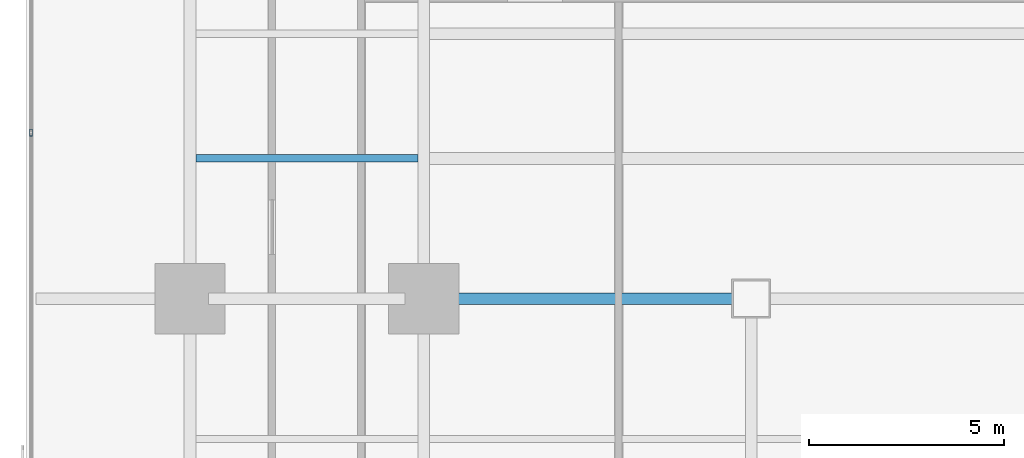
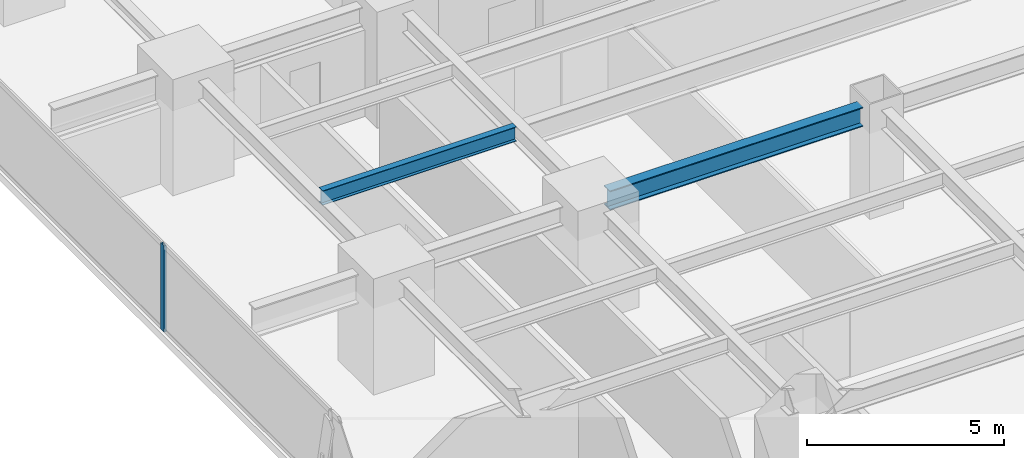
# One storey, part 9 of 33: 2 beams, 1 member, 1 element without a shape of its own.
"""IFC4 building model written with IfcOpenShell, lengths in metres."""

from ifc_helpers import new_model, si_unit, direction, frame, origin, origin_2d, place, context, subcontext, project, spatial, hollow_rectangle, i_section, extrude, source, transform, mapped, material, layer, layer_set, material_profile, profile_set, type_object, element, aggregate, save


model = new_model("IFC4")

# Units and contexts
model_context = context("Model", 3, precision=1e-05, world=origin(), true_north=direction((0.0, 1.0)))
body_context = subcontext(model_context, "Body", "Model", "MODEL_VIEW")
ifc_project = project(units=[si_unit("LENGTHUNIT", "METRE"), si_unit("AREAUNIT", "SQUARE_METRE"), si_unit("VOLUMEUNIT", "CUBIC_METRE"), si_unit("PLANEANGLEUNIT", "RADIAN"), si_unit("MASSUNIT", "GRAM", prefix="KILO")], contexts=[model_context])

# Site, building, storey
site_placement = place(None, origin())
site = spatial("IfcSite", under=ifc_project, at=site_placement, CompositionType="ELEMENT")
building_placement = place(site_placement, origin())
building = spatial("IfcBuilding", under=site, at=building_placement, Name="Sumidabori Civic Tower", CompositionType="ELEMENT")
storey_placement = place(building_placement, frame((0.0, 0.0, 66.800048828125)))
storey = spatial("IfcBuildingStorey", under=building, at=storey_placement, Name="L17", CompositionType="ELEMENT", Elevation=66.800048828125)

# Beams
ifc_material_1 = material(Name="Steel SN490", Category="steel")
ifc_material_profile_1 = material_profile(ifc_material_1, i_section(OverallWidth=0.300048828125, OverallDepth=0.60009765625, WebThickness=0.015380859375, FlangeThickness=0.030029296875, at=origin_2d()), Name="HE 600 B")
ifc_profile_set_1 = profile_set([ifc_material_profile_1], Name="Steel SN490")
beam_type_1 = type_object("IfcBeamType", Name="BM-GIRD-600", PredefinedType="BEAM", material=ifc_profile_set_1)
shared_shape_1 = source(origin(), body_context, "Body", "SweptSolid", [
    extrude(i_section(OverallWidth=0.300048828125, OverallDepth=0.60009765625, WebThickness=0.015380859375, FlangeThickness=0.030029296875, at=origin_2d()), origin(), (0.0, 0.0, 1.0), 7.440185546875),
])
beam_1_placement = place(storey_placement, frame((-16.320068359375, 0.0, 3.0), z_axis=(1.0, 0.0, 0.0), x_axis=(0.0, 1.0, 0.0)))
element("IfcBeam", 1, at=beam_1_placement, inside=storey, type_object=beam_type_1, Name="Primary Girder L17 GX-14", PredefinedType="BEAM", context=body_context, shape_type="MappedRepresentation", body=[
    mapped(shared_shape_1, transform((0.0, 0.0, 0.0), x_axis=(1.0, 0.0, 0.0), y_axis=(0.0, 1.0, 0.0), z_axis=(0.0, 0.0, 1.0), scale=1.0)),
])
ifc_material_profile_2 = material_profile(ifc_material_1, i_section(OverallWidth=0.18994140625, OverallDepth=0.449951171875, WebThickness=0.009521484375, FlangeThickness=0.0146484375, at=origin_2d()), Name="IPE 450")
ifc_profile_set_2 = profile_set([ifc_material_profile_2], Name="Steel SN490")
beam_type_2 = type_object("IfcBeamType", Name="BM-JST-450", PredefinedType="JOIST", material=ifc_profile_set_2)
shared_shape_2 = source(origin(), body_context, "Body", "SweptSolid", [
    extrude(i_section(OverallWidth=0.18994140625, OverallDepth=0.449951171875, WebThickness=0.009521484375, FlangeThickness=0.0146484375, at=origin_2d()), origin(), (0.0, 0.0, 1.0), 5.699951171875),
])
beam_2_placement = place(storey_placement, frame((-22.64990234375, 3.60009765625, 3.074951171875), z_axis=(1.0, 0.0, 0.0), x_axis=(0.0, 1.0, 0.0)))
element("IfcBeam", 2, at=beam_2_placement, inside=storey, type_object=beam_type_2, Name="Outer Bay Floor Joist L17 JSTO-53", PredefinedType="JOIST", context=body_context, shape_type="MappedRepresentation", body=[
    mapped(shared_shape_2, transform((0.0, 0.0, 0.0), x_axis=(1.0, 0.0, 0.0), y_axis=(0.0, 1.0, 0.0), z_axis=(0.0, 0.0, 1.0), scale=1.0)),
])

# Curtain wall, member
ifc_material_2 = material(Name="Anodised Bronze Aluminium AW-6063-T6", Category="aluminium")
ifc_layer = layer(ifc_material_2, 0.179931640625, Name="Anodised Bronze Aluminium AW-6063-T6")
ifc_layer_set = layer_set([ifc_layer], Name="Anodised Bronze Aluminium AW-6063-T6")
curtain_wall_type = type_object("IfcCurtainWallType", Name="CW-SYS-2", PredefinedType="NOTDEFINED", material=ifc_layer_set)
curtain_wall_placement = place(storey_placement, origin())
curtain_wall = element("IfcCurtainWall", 3, at=curtain_wall_placement, inside=storey, type_object=curtain_wall_type, Name="Curtain Wall CW:L17:R10", PredefinedType="NOTDEFINED")
ifc_material_profile_3 = material_profile(ifc_material_2, hollow_rectangle(XDim=0.070068359375, YDim=0.179931640625, WallThickness=0.006103515625, at=origin_2d()), Name="ALU MULLION 180x70")
ifc_profile_set_3 = profile_set([ifc_material_profile_3], Name="Anodised Bronze Aluminium AW-6063-T6")
member_type = type_object("IfcMemberType", Name="CW-MUL-180", PredefinedType="MULLION", material=ifc_profile_set_3)
shared_shape_3 = source(origin(), body_context, "Body", "SweptSolid", [
    extrude(hollow_rectangle(XDim=0.070068359375, YDim=0.179931640625, WallThickness=0.006103515625, at=origin_2d()), origin(), (0.0, 0.0, 1.0), 2.679931640625),
])
member_placement = place(storey_placement, frame((-26.8798828125, 4.263916015625, 0.0), z_axis=(0.0, 0.0, 1.0), x_axis=(1.0, 0.0, 0.0)))
member = element("IfcMember", 4, at=member_placement, type_object=member_type, Name="CW-2 mullion 3", PredefinedType="MULLION", context=body_context, shape_type="MappedRepresentation", body=[
    mapped(shared_shape_3, transform((0.0, 0.0, 0.0), x_axis=(1.0, 0.0, 0.0), y_axis=(0.0, 1.0, 0.0), z_axis=(0.0, 0.0, 1.0), scale=1.0)),
])
aggregate(curtain_wall, [member])

save(model, "model.ifc")
